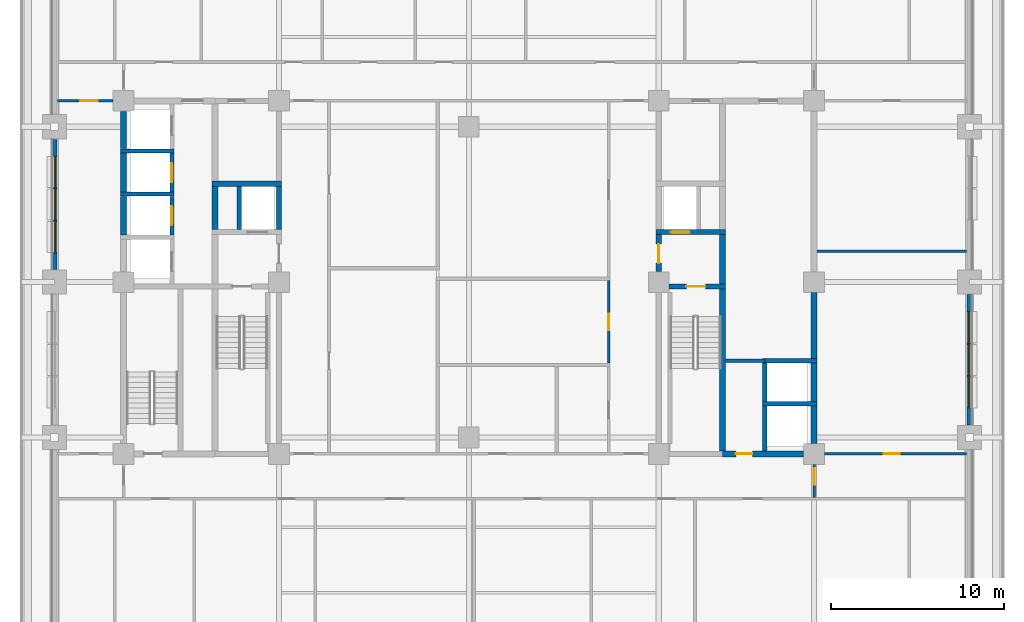
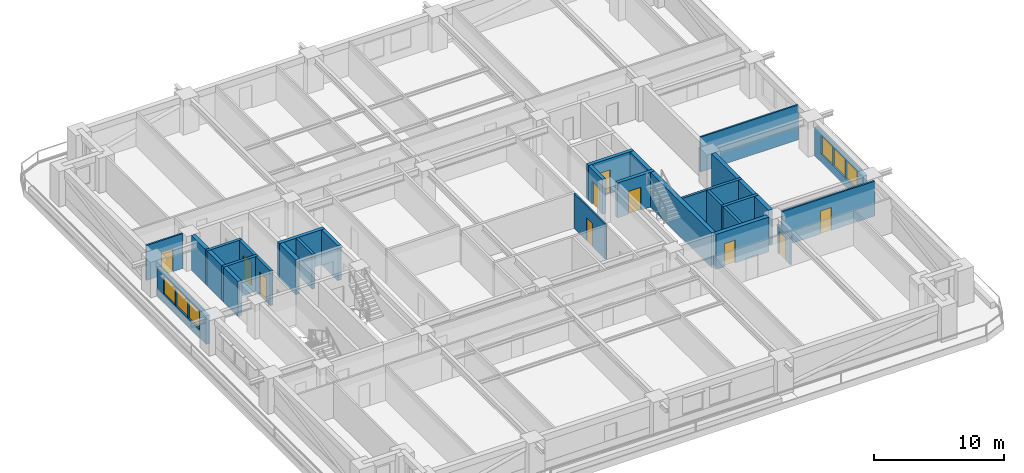
# One storey, part 4 of 14: 32 walls, 10 doors, 6 windows, 16 openings.
"""IFC4 building model written with IfcOpenShell, lengths in metres."""

from ifc_helpers import new_model, si_unit, direction, frame, frame_2d, origin, place, context, subcontext, project, spatial, rectangle, extrude, material, layer, layer_set, type_object, element, fill, save


model = new_model("IFC4")

# Units and contexts
model_context = context("Model", 3, precision=1e-05, world=origin(), true_north=direction((0.0, 1.0)))
body_context = subcontext(model_context, "Body", "Model", "MODEL_VIEW")
ifc_project = project(units=[si_unit("LENGTHUNIT", "METRE"), si_unit("AREAUNIT", "SQUARE_METRE"), si_unit("VOLUMEUNIT", "CUBIC_METRE"), si_unit("PLANEANGLEUNIT", "RADIAN"), si_unit("MASSUNIT", "GRAM", prefix="KILO")], contexts=[model_context])

# Site, building, storey
site_placement = place(None, origin())
site = spatial("IfcSite", under=ifc_project, at=site_placement, CompositionType="ELEMENT")
building_placement = place(site_placement, origin())
building = spatial("IfcBuilding", under=site, at=building_placement, Name="Zulmaris Gate Convention Tower", CompositionType="ELEMENT")
storey_placement = place(building_placement, frame((0.0, 0.0, 30.77001953125)))
storey = spatial("IfcBuildingStorey", under=building, at=storey_placement, Name="L06", CompositionType="ELEMENT", Elevation=30.77001953125)

# Walls
ifc_material_1 = material(Name="Concrete C50/60", Category="concrete")
ifc_layer_1 = layer(ifc_material_1, 0.25, Name="Concrete C50/60")
ifc_layer_set_1 = layer_set([ifc_layer_1], Name="Concrete C50/60")
wall_type_1 = type_object("IfcWallType", Name="CORE-250", PredefinedType="SOLIDWALL", material=ifc_layer_set_1)
for number, where, z_axis, x_axis, name in (
    (1, (17.02490234375, -7.050048828125, 0.0), (0.0, 0.0, 1.0), (1.0, 0.0, 0.0), "WL-L06-005"),
    (2, (17.02490234375, -4.550048828125, 0.0), (0.0, 0.0, 1.0), (1.0, 0.0, 0.0), "WL-L06-006"),
):
    element("IfcWall", number, at=place(storey_placement, frame(where, z_axis=z_axis, x_axis=x_axis)), inside=storey, type_object=wall_type_1, Name=name, PredefinedType="SOLIDWALL", context=body_context, shape_type="SweptSolid", body=[
        extrude(rectangle(XDim=3.150146484375, YDim=0.25, at=frame_2d((1.5751953125, 0.0))), origin(), (0.0, 0.0, 1.0), 3.27001953125),
    ])
for number, where, z_axis, x_axis, name in (
    (3, (-20.175048828125, 5.10009765625, 0.0), (0.0, 0.0, 1.0), (1.0, 0.0, 0.0), "WL-L06-012"),
    (4, (-20.175048828125, 7.60009765625, 0.0), (0.0, 0.0, 1.0), (1.0, 0.0, 0.0), "WL-L06-015"),
):
    element("IfcWall", number, at=place(storey_placement, frame(where, z_axis=z_axis, x_axis=x_axis)), inside=storey, type_object=wall_type_1, Name=name, PredefinedType="SOLIDWALL", context=body_context, shape_type="SweptSolid", body=[
        extrude(rectangle(XDim=3.10009765625, YDim=0.25, at=frame_2d((1.550048828125, 0.0))), origin(), (0.0, 0.0, 1.0), 3.27001953125),
    ])

# Wall, opening, door
wall_1_placement = place(storey_placement, frame((-17.199951171875, 2.72705078125, 0.0), z_axis=(0.0, 0.0, 1.0), x_axis=(0.0, 1.0, 0.0)))
wall_1 = element("IfcWall", 5, at=wall_1_placement, inside=storey, type_object=wall_type_1, Name="WL-L06-039", PredefinedType="SOLIDWALL", context=body_context, shape_type="SweptSolid", body=[
    extrude(rectangle(XDim=2.245849609375, YDim=0.25, at=frame_2d((1.123046875, 0.0))), origin(), (0.0, 0.0, 1.0), 3.27001953125),
])
opening_1_placement = place(wall_1_placement, frame((0.572998046875, 0.0, 0.0)))
opening_1 = element("IfcOpeningElement", 6, at=opening_1_placement, cuts=wall_1, Name="Opening D-06", PredefinedType="OPENING", context=body_context, shape_type="SweptSolid", body=[
    extrude(rectangle(XDim=1.10009765625, YDim=2.199951171875, at=frame_2d((0.550048828125, 1.10009765625))), frame((0.0, 0.135009765625, 0.0), z_axis=(0.0, -1.0, 0.0), x_axis=(1.0, 0.0, 0.0)), (0.0, 0.0, 1.0), 0.27001953125),
])
ifc_material_2 = material(Name="Brushed Stainless Steel", Category="steel")
door_type_1 = type_object("IfcDoorType", Name="LD-1100", OperationType="NOTDEFINED", PredefinedType="DOOR", material=ifc_material_2)
door_1_placement = place(opening_1_placement, origin())
door_1 = element("IfcDoor", 7, at=door_1_placement, inside=storey, type_object=door_type_1, Name="L06 Lift Landing Door LP-02 12", OperationType="SLIDING_TO_LEFT", OverallHeight=2.199951171875, OverallWidth=1.10009765625, PredefinedType="DOOR", context=body_context, shape_type="SweptSolid", body=[
    extrude(rectangle(XDim=1.10009765625, YDim=2.199951171875, at=frame_2d((0.550048828125, 1.10009765625))), frame((0.0, 0.02490234375, 0.0), z_axis=(0.0, -1.0, 0.0), x_axis=(1.0, 0.0, 0.0)), (0.0, 0.0, 1.0), 0.050048828125),
])
fill(opening_1, door_1)

wall_2_placement = place(storey_placement, frame((-17.199951171875, 5.22705078125, 0.0), z_axis=(0.0, 0.0, 1.0), x_axis=(0.0, 1.0, 0.0)))
wall_2 = element("IfcWall", 8, at=wall_2_placement, inside=storey, type_object=wall_type_1, Name="WL-L06-040", PredefinedType="SOLIDWALL", context=body_context, shape_type="SweptSolid", body=[
    extrude(rectangle(XDim=2.245849609375, YDim=0.25, at=frame_2d((1.123046875, 0.0))), origin(), (0.0, 0.0, 1.0), 3.27001953125),
])
opening_2_placement = place(wall_2_placement, frame((0.572998046875, 0.0, 0.0)))
opening_2 = element("IfcOpeningElement", 9, at=opening_2_placement, cuts=wall_2, Name="Opening D-06", PredefinedType="OPENING", context=body_context, shape_type="SweptSolid", body=[
    extrude(rectangle(XDim=1.10009765625, YDim=2.199951171875, at=frame_2d((0.550048828125, 1.10009765625))), frame((0.0, 0.135009765625, 0.0), z_axis=(0.0, -1.0, 0.0), x_axis=(1.0, 0.0, 0.0)), (0.0, 0.0, 1.0), 0.27001953125),
])
door_2_placement = place(opening_2_placement, origin())
door_2 = element("IfcDoor", 10, at=door_2_placement, inside=storey, type_object=door_type_1, Name="L06 Lift Landing Door LP-03 13", OperationType="SLIDING_TO_LEFT", OverallHeight=2.199951171875, OverallWidth=1.10009765625, PredefinedType="DOOR", context=body_context, shape_type="SweptSolid", body=[
    extrude(rectangle(XDim=1.10009765625, YDim=2.199951171875, at=frame_2d((0.550048828125, 1.10009765625))), frame((0.0, 0.02490234375, 0.0), z_axis=(0.0, -1.0, 0.0), x_axis=(1.0, 0.0, 0.0)), (0.0, 0.0, 1.0), 0.050048828125),
])
fill(opening_2, door_2)

# Walls
wall_3_placement = place(storey_placement, frame((-13.300048828125, 3.052001953125, 0.0), z_axis=(0.0, 0.0, 1.0), x_axis=(0.0, 1.0, 0.0)))
element("IfcWall", 11, at=wall_3_placement, inside=storey, type_object=wall_type_1, Name="WL-L06-047", PredefinedType="SOLIDWALL", context=body_context, shape_type="SweptSolid", body=[
    extrude(rectangle(XDim=2.49609375, YDim=0.25, at=frame_2d((1.248046875, 0.0))), origin(), (0.0, 0.0, 1.0), 3.27001953125),
])
wall_4_placement = place(storey_placement, frame((17.14990234375, -9.77294921875, 0.0), z_axis=(0.0, 0.0, 1.0), x_axis=(0.0, 1.0, 0.0)))
element("IfcWall", 12, at=wall_4_placement, inside=storey, type_object=wall_type_1, Name="WL-L06-063", PredefinedType="SOLIDWALL", context=body_context, shape_type="SweptSolid", body=[
    extrude(rectangle(XDim=2.595947265625, YDim=0.25, at=frame_2d((1.2978515625, 0.0))), origin(), (0.0, 0.0, 1.0), 3.27001953125),
])
wall_5_placement = place(storey_placement, frame((17.14990234375, -6.923095703125, 0.0), z_axis=(0.0, 0.0, 1.0), x_axis=(0.0, 1.0, 0.0)))
element("IfcWall", 13, at=wall_5_placement, inside=storey, type_object=wall_type_1, Name="WL-L06-064", PredefinedType="SOLIDWALL", context=body_context, shape_type="SweptSolid", body=[
    extrude(rectangle(XDim=2.24609375, YDim=0.25, at=frame_2d((1.123046875, 0.0))), origin(), (0.0, 0.0, 1.0), 3.27001953125),
])

# Wall, opening, door
ifc_layer_2 = layer(ifc_material_1, 0.300048828125, Name="Concrete C50/60")
ifc_layer_set_2 = layer_set([ifc_layer_2], Name="Concrete C50/60")
wall_type_2 = type_object("IfcWallType", Name="CORE-300", PredefinedType="SHEAR", material=ifc_layer_set_2)
wall_6_placement = place(storey_placement, frame((11.60400390625, -0.25, 0.0), z_axis=(0.0, 0.0, 1.0), x_axis=(1.0, 0.0, 0.0)))
wall_6 = element("IfcWall", 14, at=wall_6_placement, inside=storey, type_object=wall_type_2, Name="WL-L06-008", PredefinedType="SHEAR", context=body_context, shape_type="SweptSolid", body=[
    extrude(rectangle(XDim=3.27099609375, YDim=0.300048828125, at=frame_2d((1.635498046875, 0.0))), origin(), (0.0, 0.0, 1.0), 3.27001953125),
])
opening_3_placement = place(wall_6_placement, frame((0.99609375, 0.0, 0.0)))
opening_3 = element("IfcOpeningElement", 15, at=opening_3_placement, cuts=wall_6, Name="Opening D-08", PredefinedType="OPENING", context=body_context, shape_type="SweptSolid", body=[
    extrude(rectangle(XDim=1.10009765625, YDim=2.14990234375, at=frame_2d((0.550048828125, 1.074951171875))), frame((0.0, 0.16015625, 0.0), z_axis=(0.0, -1.0, 0.0), x_axis=(1.0, 0.0, 0.0)), (0.0, 0.0, 1.0), 0.320068359375),
])
ifc_material_3 = material(Name="Fire-Rated Steel", Category="steel")
door_type_2 = type_object("IfcDoorType", Name="DR-1100-FD", OperationType="NOTDEFINED", PredefinedType="DOOR", material=ifc_material_3)
door_3_placement = place(opening_3_placement, origin())
door_3 = element("IfcDoor", 16, at=door_3_placement, inside=storey, type_object=door_type_2, Name="L06 Exit Stair ST-2 Door 04", OperationType="SINGLE_SWING_RIGHT", OverallHeight=2.14990234375, OverallWidth=1.10009765625, PredefinedType="DOOR", context=body_context, shape_type="SweptSolid", body=[
    extrude(rectangle(XDim=1.10009765625, YDim=2.14990234375, at=frame_2d((0.550048828125, 1.074951171875))), frame((0.0, 0.02490234375, 0.0), z_axis=(0.0, -1.0, 0.0), x_axis=(1.0, 0.0, 0.0)), (0.0, 0.0, 1.0), 0.050048828125),
])
fill(opening_3, door_3)

wall_7_placement = place(storey_placement, frame((10.85009765625, 2.89990234375, 0.0), z_axis=(0.0, 0.0, 1.0), x_axis=(1.0, 0.0, 0.0)))
wall_7 = element("IfcWall", 17, at=wall_7_placement, inside=storey, type_object=wall_type_2, Name="WL-L06-011", PredefinedType="SHEAR", context=body_context, shape_type="SweptSolid", body=[
    extrude(rectangle(XDim=4.02490234375, YDim=0.300048828125, at=frame_2d((2.012451171875, 0.0))), origin(), (0.0, 0.0, 1.0), 3.27001953125),
])
opening_4_placement = place(wall_7_placement, frame((0.85009765625, 0.0, 0.0)))
opening_4 = element("IfcOpeningElement", 18, at=opening_4_placement, cuts=wall_7, Name="Opening D-06", PredefinedType="OPENING", context=body_context, shape_type="SweptSolid", body=[
    extrude(rectangle(XDim=1.10009765625, YDim=2.199951171875, at=frame_2d((0.550048828125, 1.10009765625))), frame((0.0, 0.16015625, 0.0), z_axis=(0.0, -1.0, 0.0), x_axis=(1.0, 0.0, 0.0)), (0.0, 0.0, 1.0), 0.320068359375),
])
door_4_placement = place(opening_4_placement, origin())
door_4 = element("IfcDoor", 19, at=door_4_placement, inside=storey, type_object=door_type_1, Name="L06 Lift Landing Door LF-02 06", OperationType="SLIDING_TO_RIGHT", OverallHeight=2.199951171875, OverallWidth=1.10009765625, PredefinedType="DOOR", context=body_context, shape_type="SweptSolid", body=[
    extrude(rectangle(XDim=1.10009765625, YDim=2.199951171875, at=frame_2d((0.550048828125, 1.10009765625))), frame((0.0, 0.02490234375, 0.0), z_axis=(0.0, -1.0, 0.0), x_axis=(1.0, 0.0, 0.0)), (0.0, 0.0, 1.0), 0.050048828125),
])
fill(opening_4, door_4)

# Walls
wall_8_placement = place(storey_placement, frame((-14.875, 5.699951171875, 0.0), z_axis=(0.0, 0.0, 1.0), x_axis=(1.0, 0.0, 0.0)))
element("IfcWall", 20, at=wall_8_placement, inside=storey, type_object=wall_type_2, Name="WL-L06-013", PredefinedType="SHEAR", context=body_context, shape_type="SweptSolid", body=[
    extrude(rectangle(XDim=4.02490234375, YDim=0.300048828125, at=frame_2d((2.012451171875, 0.0))), origin(), (0.0, 0.0, 1.0), 3.27001953125),
])
wall_9_placement = place(storey_placement, frame((-11.0, 3.052001953125, 0.0), z_axis=(0.0, 0.0, 1.0), x_axis=(0.0, 1.0, 0.0)))
element("IfcWall", 21, at=wall_9_placement, inside=storey, type_object=wall_type_2, Name="WL-L06-051", PredefinedType="SHEAR", context=body_context, shape_type="SweptSolid", body=[
    extrude(rectangle(XDim=2.49609375, YDim=0.300048828125, at=frame_2d((1.248046875, 0.0))), origin(), (0.0, 0.0, 1.0), 3.27001953125),
])

# Wall, opening, door
wall_10_placement = place(storey_placement, frame((11.0, 0.60400390625, 0.0), z_axis=(0.0, 0.0, 1.0), x_axis=(0.0, 1.0, 0.0)))
wall_10 = element("IfcWall", 22, at=wall_10_placement, inside=storey, type_object=wall_type_2, Name="WL-L06-054", PredefinedType="SHEAR", context=body_context, shape_type="SweptSolid", body=[
    extrude(rectangle(XDim=2.14404296875, YDim=0.300048828125, at=frame_2d((1.072021484375, 0.0))), origin(), (0.0, 0.0, 1.0), 3.27001953125),
])
opening_5_placement = place(wall_10_placement, frame((0.49609375, 0.0, 0.0)))
opening_5 = element("IfcOpeningElement", 23, at=opening_5_placement, cuts=wall_10, Name="Opening D-08", PredefinedType="OPENING", context=body_context, shape_type="SweptSolid", body=[
    extrude(rectangle(XDim=1.10009765625, YDim=2.14990234375, at=frame_2d((0.550048828125, 1.074951171875))), frame((0.0, 0.16015625, 0.0), z_axis=(0.0, -1.0, 0.0), x_axis=(1.0, 0.0, 0.0)), (0.0, 0.0, 1.0), 0.320068359375),
])
door_5_placement = place(opening_5_placement, origin())
door_5 = element("IfcDoor", 24, at=door_5_placement, inside=storey, type_object=door_type_2, Name="L06 East Firefighting Lobby Door 05", OperationType="SINGLE_SWING_LEFT", OverallHeight=2.14990234375, OverallWidth=1.10009765625, PredefinedType="DOOR", context=body_context, shape_type="SweptSolid", body=[
    extrude(rectangle(XDim=1.10009765625, YDim=2.14990234375, at=frame_2d((0.550048828125, 1.074951171875))), frame((0.0, 0.02490234375, 0.0), z_axis=(0.0, -1.0, 0.0), x_axis=(1.0, 0.0, 0.0)), (0.0, 0.0, 1.0), 0.050048828125),
])
fill(opening_5, door_5)

ifc_material_4 = material(Name="Concrete C55/67", Category="concrete")
ifc_layer_3 = layer(ifc_material_4, 0.35009765625, Name="Concrete C55/67")
ifc_layer_set_3 = layer_set([ifc_layer_3], Name="Concrete C55/67")
wall_type_3 = type_object("IfcWallType", Name="CORE-350", PredefinedType="SHEAR", material=ifc_layer_set_3)
wall_11_placement = place(storey_placement, frame((14.699951171875, -9.949951171875, 0.0), z_axis=(0.0, 0.0, 1.0), x_axis=(1.0, 0.0, 0.0)))
wall_11 = element("IfcWall", 25, at=wall_11_placement, inside=storey, type_object=wall_type_3, Name="WL-L06-004", PredefinedType="SHEAR", context=body_context, shape_type="SweptSolid", body=[
    extrude(rectangle(XDim=4.696044921875, YDim=0.35009765625, at=frame_2d((2.34814453125, 0.0))), origin(), (0.0, 0.0, 1.0), 3.27001953125),
])
opening_6_placement = place(wall_11_placement, frame((0.77490234375, 0.0, 0.0)))
opening_6 = element("IfcOpeningElement", 26, at=opening_6_placement, cuts=wall_11, Name="Opening D-11", PredefinedType="OPENING", context=body_context, shape_type="SweptSolid", body=[
    extrude(rectangle(XDim=0.949951171875, YDim=2.14990234375, at=frame_2d((0.47509765625, 1.074951171875))), frame((0.0, 0.18505859375, 0.0), z_axis=(0.0, -1.0, 0.0), x_axis=(1.0, 0.0, 0.0)), (0.0, 0.0, 1.0), 0.3701171875),
])
ifc_material_5 = material(Name="Fire-Rated Timber", Category="wood")
door_type_3 = type_object("IfcDoorType", Name="DR-950-FD", OperationType="NOTDEFINED", PredefinedType="DOOR", material=ifc_material_5)
door_6_placement = place(opening_6_placement, origin())
door_6 = element("IfcDoor", 27, at=door_6_placement, inside=storey, type_object=door_type_3, Name="L06 East Cleaners Store Door 15", OperationType="SINGLE_SWING_RIGHT", OverallHeight=2.14990234375, OverallWidth=0.949951171875, PredefinedType="DOOR", context=body_context, shape_type="SweptSolid", body=[
    extrude(rectangle(XDim=0.949951171875, YDim=2.14990234375, at=frame_2d((0.47509765625, 1.074951171875))), frame((0.0, 0.02490234375, 0.0), z_axis=(0.0, -1.0, 0.0), x_axis=(1.0, 0.0, 0.0)), (0.0, 0.0, 1.0), 0.050048828125),
])
fill(opening_6, door_6)

# Walls
for number, where, z_axis, x_axis, name in (
    (28, (-20.0, 2.72705078125, 0.0), (0.0, 0.0, 1.0), (0.0, 1.0, 0.0), "WL-L06-035"),
    (29, (-20.0, 5.22705078125, 0.0), (0.0, 0.0, 1.0), (0.0, 1.0, 0.0), "WL-L06-036"),
):
    element("IfcWall", number, at=place(storey_placement, frame(where, z_axis=z_axis, x_axis=x_axis)), inside=storey, type_object=wall_type_3, Name=name, PredefinedType="SHEAR", context=body_context, shape_type="SweptSolid", body=[
        extrude(rectangle(XDim=2.245849609375, YDim=0.35009765625, at=frame_2d((1.123046875, 0.0))), origin(), (0.0, 0.0, 1.0), 3.27001953125),
    ])
wall_12_placement = place(storey_placement, frame((-20.0, 7.72705078125, 0.0), z_axis=(0.0, 0.0, 1.0), x_axis=(0.0, 1.0, 0.0)))
element("IfcWall", 30, at=wall_12_placement, inside=storey, type_object=wall_type_3, Name="WL-L06-037", PredefinedType="SHEAR", context=body_context, shape_type="SweptSolid", body=[
    extrude(rectangle(XDim=2.1689453125, YDim=0.35009765625, at=frame_2d((1.08447265625, 0.0))), origin(), (0.0, 0.0, 1.0), 3.27001953125),
])
wall_13_placement = place(storey_placement, frame((-14.699951171875, 3.052001953125, 0.0), z_axis=(0.0, 0.0, 1.0), x_axis=(0.0, 1.0, 0.0)))
element("IfcWall", 31, at=wall_13_placement, inside=storey, type_object=wall_type_3, Name="WL-L06-045", PredefinedType="SHEAR", context=body_context, shape_type="SweptSolid", body=[
    extrude(rectangle(XDim=2.49609375, YDim=0.35009765625, at=frame_2d((1.248046875, 0.0))), origin(), (0.0, 0.0, 1.0), 3.27001953125),
])
wall_14_placement = place(storey_placement, frame((14.699951171875, -9.77294921875, 0.0), z_axis=(0.0, 0.0, 1.0), x_axis=(0.0, 1.0, 0.0)))
element("IfcWall", 32, at=wall_14_placement, inside=storey, type_object=wall_type_3, Name="WL-L06-059", PredefinedType="SHEAR", context=body_context, shape_type="SweptSolid", body=[
    extrude(rectangle(XDim=9.370849609375, YDim=0.35009765625, at=frame_2d((4.685546875, 0.0))), origin(), (0.0, 0.0, 1.0), 3.27001953125),
])
wall_15_placement = place(storey_placement, frame((14.699951171875, -0.097900390625, 0.0), z_axis=(0.0, 0.0, 1.0), x_axis=(0.0, 1.0, 0.0)))
element("IfcWall", 33, at=wall_15_placement, inside=storey, type_object=wall_type_3, Name="WL-L06-060", PredefinedType="SHEAR", context=body_context, shape_type="SweptSolid", body=[
    extrude(rectangle(XDim=2.845947265625, YDim=0.35009765625, at=frame_2d((1.4228515625, 0.0))), origin(), (0.0, 0.0, 1.0), 3.27001953125),
])
wall_16_placement = place(storey_placement, frame((20.0, -9.345947265625, 0.0), z_axis=(0.0, 0.0, 1.0), x_axis=(0.0, 1.0, 0.0)))
element("IfcWall", 34, at=wall_16_placement, inside=storey, type_object=wall_type_3, Name="WL-L06-065", PredefinedType="SHEAR", context=body_context, shape_type="SweptSolid", body=[
    extrude(rectangle(XDim=2.1689453125, YDim=0.35009765625, at=frame_2d((1.08447265625, 0.0))), origin(), (0.0, 0.0, 1.0), 3.27001953125),
])
wall_17_placement = place(storey_placement, frame((20.0, -6.923095703125, 0.0), z_axis=(0.0, 0.0, 1.0), x_axis=(0.0, 1.0, 0.0)))
element("IfcWall", 35, at=wall_17_placement, inside=storey, type_object=wall_type_3, Name="WL-L06-066", PredefinedType="SHEAR", context=body_context, shape_type="SweptSolid", body=[
    extrude(rectangle(XDim=2.24609375, YDim=0.35009765625, at=frame_2d((1.123046875, 0.0))), origin(), (0.0, 0.0, 1.0), 3.27001953125),
])
wall_18_placement = place(storey_placement, frame((20.0, -4.423095703125, 0.0), z_axis=(0.0, 0.0, 1.0), x_axis=(0.0, 1.0, 0.0)))
element("IfcWall", 36, at=wall_18_placement, inside=storey, type_object=wall_type_3, Name="WL-L06-067", PredefinedType="SHEAR", context=body_context, shape_type="SweptSolid", body=[
    extrude(rectangle(XDim=3.819091796875, YDim=0.35009765625, at=frame_2d((1.90966796875, 0.0))), origin(), (0.0, 0.0, 1.0), 3.27001953125),
])

# Wall, opening, door
ifc_material_6 = material(Name="Gypsum Metal Stud Partition")
ifc_layer_4 = layer(ifc_material_6, 0.14990234375, Name="Gypsum Metal Stud Partition")
ifc_layer_set_4 = layer_set([ifc_layer_4], Name="Gypsum Metal Stud Partition")
wall_type_4 = type_object("IfcWallType", Name="PART-150", PredefinedType="PARTITIONING", material=ifc_layer_set_4)
wall_19_placement = place(storey_placement, frame((20.60595703125, -9.949951171875, 0.0), z_axis=(0.0, 0.0, 1.0), x_axis=(1.0, 0.0, 0.0)))
wall_19 = element("IfcWall", 37, at=wall_19_placement, inside=storey, type_object=wall_type_4, Name="WL-L06-023", PredefinedType="PARTITIONING", context=body_context, shape_type="SweptSolid", body=[
    extrude(rectangle(XDim=8.22900390625, YDim=0.14990234375, at=frame_2d((4.114501953125, 0.0))), origin(), (0.0, 0.0, 1.0), 3.27001953125),
])
opening_7_placement = place(wall_19_placement, frame((3.4189453125, 0.0, 0.0)))
opening_7 = element("IfcOpeningElement", 38, at=opening_7_placement, cuts=wall_19, Name="Opening D-11", PredefinedType="OPENING", context=body_context, shape_type="SweptSolid", body=[
    extrude(rectangle(XDim=0.949951171875, YDim=2.14990234375, at=frame_2d((0.47509765625, 1.074951171875))), frame((0.0, 0.0849609375, 0.0), z_axis=(0.0, -1.0, 0.0), x_axis=(1.0, 0.0, 0.0)), (0.0, 0.0, 1.0), 0.169921875),
])
door_7_placement = place(opening_7_placement, origin())
door_7 = element("IfcDoor", 39, at=door_7_placement, inside=storey, type_object=door_type_3, Name="L06 SE Partner Door 46", OperationType="SINGLE_SWING_LEFT", OverallHeight=2.14990234375, OverallWidth=0.949951171875, PredefinedType="DOOR", context=body_context, shape_type="SweptSolid", body=[
    extrude(rectangle(XDim=0.949951171875, YDim=2.14990234375, at=frame_2d((0.47509765625, 1.074951171875))), frame((0.0, 0.02490234375, 0.0), z_axis=(0.0, -1.0, 0.0), x_axis=(1.0, 0.0, 0.0)), (0.0, 0.0, 1.0), 0.050048828125),
])
fill(opening_7, door_7)

# Wall
wall_20_placement = place(storey_placement, frame((20.177978515625, 1.800048828125, 0.0), z_axis=(0.0, 0.0, 1.0), x_axis=(1.0, 0.0, 0.0)))
element("IfcWall", 40, at=wall_20_placement, inside=storey, type_object=wall_type_4, Name="WL-L06-028", PredefinedType="PARTITIONING", context=body_context, shape_type="SweptSolid", body=[
    extrude(rectangle(XDim=8.656982421875, YDim=0.14990234375, at=frame_2d((4.32861328125, 0.0))), origin(), (0.0, 0.0, 1.0), 3.27001953125),
])

# Wall, opening, door
wall_21_placement = place(storey_placement, frame((-23.8349609375, 10.5, 0.0), z_axis=(0.0, 0.0, 1.0), x_axis=(1.0, 0.0, 0.0)))
wall_21 = element("IfcWall", 41, at=wall_21_placement, inside=storey, type_object=wall_type_4, Name="WL-L06-029", PredefinedType="PARTITIONING", context=body_context, shape_type="SweptSolid", body=[
    extrude(rectangle(XDim=3.22900390625, YDim=0.14990234375, at=frame_2d((1.614501953125, 0.0))), origin(), (0.0, 0.0, 1.0), 3.27001953125),
])
opening_8_placement = place(wall_21_placement, frame((1.3349609375, 0.0, 0.0)))
opening_8 = element("IfcOpeningElement", 42, at=opening_8_placement, cuts=wall_21, Name="Opening D-10", PredefinedType="OPENING", context=body_context, shape_type="SweptSolid", body=[
    extrude(rectangle(XDim=1.0, YDim=2.14990234375, at=frame_2d((0.5, 1.074951171875))), frame((0.0, 0.0849609375, 0.0), z_axis=(0.0, -1.0, 0.0), x_axis=(1.0, 0.0, 0.0)), (0.0, 0.0, 1.0), 0.169921875),
])
door_type_4 = type_object("IfcDoorType", Name="DR-1000-FD", OperationType="NOTDEFINED", PredefinedType="DOOR", material=ifc_material_5)
door_8_placement = place(opening_8_placement, origin())
door_8 = element("IfcDoor", 43, at=door_8_placement, inside=storey, type_object=door_type_4, Name="L06 West Workplace North Door 41", OperationType="SINGLE_SWING_RIGHT", OverallHeight=2.14990234375, OverallWidth=1.0, PredefinedType="DOOR", context=body_context, shape_type="SweptSolid", body=[
    extrude(rectangle(XDim=1.0, YDim=2.14990234375, at=frame_2d((0.5, 1.074951171875))), frame((0.0, 0.02490234375, 0.0), z_axis=(0.0, -1.0, 0.0), x_axis=(1.0, 0.0, 0.0)), (0.0, 0.0, 1.0), 0.050048828125),
])
fill(opening_8, door_8)

wall_22_placement = place(storey_placement, frame((8.10009765625, -4.697021484375, 0.0), z_axis=(0.0, 0.0, 1.0), x_axis=(0.0, 1.0, 0.0)))
wall_22 = element("IfcWall", 44, at=wall_22_placement, inside=storey, type_object=wall_type_4, Name="WL-L06-088", PredefinedType="PARTITIONING", context=body_context, shape_type="SweptSolid", body=[
    extrude(rectangle(XDim=4.7939453125, YDim=0.14990234375, at=frame_2d((2.39697265625, 0.0))), origin(), (0.0, 0.0, 1.0), 3.27001953125),
])
opening_9_placement = place(wall_22_placement, frame((1.922119140625, 0.0, 0.0)))
opening_9 = element("IfcOpeningElement", 45, at=opening_9_placement, cuts=wall_22, Name="Opening D-11", PredefinedType="OPENING", context=body_context, shape_type="SweptSolid", body=[
    extrude(rectangle(XDim=0.949951171875, YDim=2.14990234375, at=frame_2d((0.47509765625, 1.074951171875))), frame((0.0, 0.0849609375, 0.0), z_axis=(0.0, -1.0, 0.0), x_axis=(1.0, 0.0, 0.0)), (0.0, 0.0, 1.0), 0.169921875),
])
door_9_placement = place(opening_9_placement, origin())
door_9 = element("IfcDoor", 46, at=door_9_placement, inside=storey, type_object=door_type_3, Name="L06 Public WC Door 36", OperationType="SINGLE_SWING_LEFT", OverallHeight=2.14990234375, OverallWidth=0.949951171875, PredefinedType="DOOR", context=body_context, shape_type="SweptSolid", body=[
    extrude(rectangle(XDim=0.949951171875, YDim=2.14990234375, at=frame_2d((0.47509765625, 1.074951171875))), frame((0.0, 0.02490234375, 0.0), z_axis=(0.0, -1.0, 0.0), x_axis=(1.0, 0.0, 0.0)), (0.0, 0.0, 1.0), 0.050048828125),
])
fill(opening_9, door_9)

wall_23_placement = place(storey_placement, frame((20.0, -12.471923828125, 0.0), z_axis=(0.0, 0.0, 1.0), x_axis=(0.0, 1.0, 0.0)))
wall_23 = element("IfcWall", 47, at=wall_23_placement, inside=storey, type_object=wall_type_4, Name="WL-L06-092", PredefinedType="PARTITIONING", context=body_context, shape_type="SweptSolid", body=[
    extrude(rectangle(XDim=1.916015625, YDim=0.14990234375, at=frame_2d((0.9580078125, 0.0))), origin(), (0.0, 0.0, 1.0), 2.610107421875),
])
opening_10_placement = place(wall_23_placement, frame((0.7470703125, 0.0, 0.0)))
opening_10 = element("IfcOpeningElement", 48, at=opening_10_placement, cuts=wall_23, Name="Opening D-11", PredefinedType="OPENING", context=body_context, shape_type="SweptSolid", body=[
    extrude(rectangle(XDim=0.949951171875, YDim=2.14990234375, at=frame_2d((0.47509765625, 1.074951171875))), frame((0.0, 0.0849609375, 0.0), z_axis=(0.0, -1.0, 0.0), x_axis=(1.0, 0.0, 0.0)), (0.0, 0.0, 1.0), 0.169921875),
])
door_10_placement = place(opening_10_placement, origin())
door_10 = element("IfcDoor", 49, at=door_10_placement, inside=storey, type_object=door_type_3, Name="L06 SE Spur Door 44", OperationType="SINGLE_SWING_LEFT", OverallHeight=2.14990234375, OverallWidth=0.949951171875, PredefinedType="DOOR", context=body_context, shape_type="SweptSolid", body=[
    extrude(rectangle(XDim=0.949951171875, YDim=2.14990234375, at=frame_2d((0.47509765625, 1.074951171875))), frame((0.0, 0.02490234375, 0.0), z_axis=(0.0, -1.0, 0.0), x_axis=(1.0, 0.0, 0.0)), (0.0, 0.0, 1.0), 0.050048828125),
])
fill(opening_10, door_10)

# Wall
ifc_material_7 = material(Name="Autoclaved Aerated Concrete Block and Plasterboard", Category="concrete")
ifc_layer_5 = layer(ifc_material_7, 0.199951171875, Name="Autoclaved Aerated Concrete Block and Plasterboard")
ifc_layer_set_5 = layer_set([ifc_layer_5], Name="Autoclaved Aerated Concrete Block and Plasterboard")
wall_type_5 = type_object("IfcWallType", Name="PART-200", PredefinedType="PARTITIONING", material=ifc_layer_set_5)
wall_24_placement = place(storey_placement, frame((14.8779296875, -4.550048828125, 0.0), z_axis=(0.0, 0.0, 1.0), x_axis=(1.0, 0.0, 0.0)))
element("IfcWall", 50, at=wall_24_placement, inside=storey, type_object=wall_type_5, Name="WL-L06-025", PredefinedType="PARTITIONING", context=body_context, shape_type="SweptSolid", body=[
    extrude(rectangle(XDim=2.27197265625, YDim=0.199951171875, at=frame_2d((1.135986328125, 0.0))), origin(), (0.0, 0.0, 1.0), 3.27001953125),
])

# Wall, openings, windows
ifc_material_8 = material(Name="Precast concrete C40/50", Category="concrete")
ifc_layer_6 = layer(ifc_material_8, 0.300048828125, Name="Precast concrete C40/50")
ifc_layer_set_6 = layer_set([ifc_layer_6], Name="Precast concrete C40/50")
wall_type_6 = type_object("IfcWallType", Name="PRECAST-PIER-300", PredefinedType="STANDARD", material=ifc_layer_set_6)
wall_25_placement = place(storey_placement, frame((29.0, -8.27001953125, 0.0), z_axis=(0.0, 0.0, 1.0), x_axis=(0.0, 1.0, 0.0)))
wall_25 = element("IfcWall", 51, at=wall_25_placement, inside=storey, type_object=wall_type_6, Name="EW-L06-E-1_0", PredefinedType="STANDARD", context=body_context, shape_type="SweptSolid", body=[
    extrude(rectangle(XDim=7.5400390625, YDim=0.300048828125, at=frame_2d((3.77001953125, 0.0))), origin(), (0.0, 0.0, 1.0), 2.662109375),
])
opening_11_placement = place(wall_25_placement, frame((0.985107421875, 0.0, 0.780029296875)))
opening_11 = element("IfcOpeningElement", 52, at=opening_11_placement, cuts=wall_25, Name="Opening W-02", PredefinedType="OPENING", context=body_context, shape_type="SweptSolid", body=[
    extrude(rectangle(XDim=1.800048828125, YDim=1.719970703125, at=frame_2d((0.89990234375, 0.85986328125))), frame((0.0, 0.16015625, 0.0), z_axis=(0.0, -1.0, 0.0), x_axis=(1.0, 0.0, 0.0)), (0.0, 0.0, 1.0), 0.320068359375),
])
opening_12_placement = place(wall_25_placement, frame((2.8701171875, 0.0, 0.780029296875)))
opening_12 = element("IfcOpeningElement", 53, at=opening_12_placement, cuts=wall_25, Name="Opening W-02", PredefinedType="OPENING", context=body_context, shape_type="SweptSolid", body=[
    extrude(rectangle(XDim=1.800048828125, YDim=1.719970703125, at=frame_2d((0.89990234375, 0.85986328125))), frame((0.0, 0.16015625, 0.0), z_axis=(0.0, -1.0, 0.0), x_axis=(1.0, 0.0, 0.0)), (0.0, 0.0, 1.0), 0.320068359375),
])
opening_13_placement = place(wall_25_placement, frame((4.7548828125, 0.0, 0.780029296875)))
opening_13 = element("IfcOpeningElement", 54, at=opening_13_placement, cuts=wall_25, Name="Opening W-02", PredefinedType="OPENING", context=body_context, shape_type="SweptSolid", body=[
    extrude(rectangle(XDim=1.800048828125, YDim=1.719970703125, at=frame_2d((0.89990234375, 0.85986328125))), frame((0.0, 0.16015625, 0.0), z_axis=(0.0, -1.0, 0.0), x_axis=(1.0, 0.0, 0.0)), (0.0, 0.0, 1.0), 0.320068359375),
])
ifc_material_9 = material(Name="Low-E Laminated Double Glazing in Aluminium Frame", Category="aluminium")
window_type = type_object("IfcWindowType", Name="WIN-1800x2200", PartitioningType="SINGLE_PANEL", PredefinedType="WINDOW", material=ifc_material_9)
window_1_placement = place(opening_11_placement, origin())
window_1 = element("IfcWindow", 55, at=window_1_placement, inside=storey, type_object=window_type, Name="WN-EW-L06-E-1_0-1", OverallHeight=1.719970703125, OverallWidth=1.800048828125, PartitioningType="SINGLE_PANEL", PredefinedType="WINDOW", context=body_context, shape_type="SweptSolid", body=[
    extrude(rectangle(XDim=1.800048828125, YDim=1.719970703125, at=frame_2d((0.89990234375, 0.85986328125))), frame((0.0, 0.030029296875, 0.0), z_axis=(0.0, -1.0, 0.0), x_axis=(1.0, 0.0, 0.0)), (0.0, 0.0, 1.0), 0.06005859375),
])
fill(opening_11, window_1)
window_2_placement = place(opening_12_placement, origin())
window_2 = element("IfcWindow", 56, at=window_2_placement, inside=storey, type_object=window_type, Name="WN-EW-L06-E-1_0-2", OverallHeight=1.719970703125, OverallWidth=1.800048828125, PartitioningType="SINGLE_PANEL", PredefinedType="WINDOW", context=body_context, shape_type="SweptSolid", body=[
    extrude(rectangle(XDim=1.800048828125, YDim=1.719970703125, at=frame_2d((0.89990234375, 0.85986328125))), frame((0.0, 0.030029296875, 0.0), z_axis=(0.0, -1.0, 0.0), x_axis=(1.0, 0.0, 0.0)), (0.0, 0.0, 1.0), 0.06005859375),
])
fill(opening_12, window_2)
window_3_placement = place(opening_13_placement, origin())
window_3 = element("IfcWindow", 57, at=window_3_placement, inside=storey, type_object=window_type, Name="WN-EW-L06-E-1_0-3", OverallHeight=1.719970703125, OverallWidth=1.800048828125, PartitioningType="SINGLE_PANEL", PredefinedType="WINDOW", context=body_context, shape_type="SweptSolid", body=[
    extrude(rectangle(XDim=1.800048828125, YDim=1.719970703125, at=frame_2d((0.89990234375, 0.85986328125))), frame((0.0, 0.030029296875, 0.0), z_axis=(0.0, -1.0, 0.0), x_axis=(1.0, 0.0, 0.0)), (0.0, 0.0, 1.0), 0.06005859375),
])
fill(opening_13, window_3)

wall_26_placement = place(storey_placement, frame((-24.0, 8.27001953125, 0.0), z_axis=(0.0, 0.0, 1.0), x_axis=(0.0, -1.0, 0.0)))
wall_26 = element("IfcWall", 58, at=wall_26_placement, inside=storey, type_object=wall_type_6, Name="EW-L06-W-2_0", PredefinedType="STANDARD", context=body_context, shape_type="SweptSolid", body=[
    extrude(rectangle(XDim=7.5400390625, YDim=0.300048828125, at=frame_2d((3.77001953125, 0.0))), origin(), (0.0, 0.0, 1.0), 2.662109375),
])
opening_14_placement = place(wall_26_placement, frame((0.985107421875, 0.0, 0.780029296875)))
opening_14 = element("IfcOpeningElement", 59, at=opening_14_placement, cuts=wall_26, Name="Opening W-02", PredefinedType="OPENING", context=body_context, shape_type="SweptSolid", body=[
    extrude(rectangle(XDim=1.800048828125, YDim=1.719970703125, at=frame_2d((0.89990234375, 0.85986328125))), frame((0.0, 0.16015625, 0.0), z_axis=(0.0, -1.0, 0.0), x_axis=(1.0, 0.0, 0.0)), (0.0, 0.0, 1.0), 0.320068359375),
])
opening_15_placement = place(wall_26_placement, frame((2.8701171875, 0.0, 0.780029296875)))
opening_15 = element("IfcOpeningElement", 60, at=opening_15_placement, cuts=wall_26, Name="Opening W-02", PredefinedType="OPENING", context=body_context, shape_type="SweptSolid", body=[
    extrude(rectangle(XDim=1.800048828125, YDim=1.719970703125, at=frame_2d((0.89990234375, 0.85986328125))), frame((0.0, 0.16015625, 0.0), z_axis=(0.0, -1.0, 0.0), x_axis=(1.0, 0.0, 0.0)), (0.0, 0.0, 1.0), 0.320068359375),
])
opening_16_placement = place(wall_26_placement, frame((4.7548828125, 0.0, 0.780029296875)))
opening_16 = element("IfcOpeningElement", 61, at=opening_16_placement, cuts=wall_26, Name="Opening W-02", PredefinedType="OPENING", context=body_context, shape_type="SweptSolid", body=[
    extrude(rectangle(XDim=1.800048828125, YDim=1.719970703125, at=frame_2d((0.89990234375, 0.85986328125))), frame((0.0, 0.16015625, 0.0), z_axis=(0.0, -1.0, 0.0), x_axis=(1.0, 0.0, 0.0)), (0.0, 0.0, 1.0), 0.320068359375),
])
window_4_placement = place(opening_14_placement, origin())
window_4 = element("IfcWindow", 62, at=window_4_placement, inside=storey, type_object=window_type, Name="WN-EW-L06-W-2_0-1", OverallHeight=1.719970703125, OverallWidth=1.800048828125, PartitioningType="SINGLE_PANEL", PredefinedType="WINDOW", context=body_context, shape_type="SweptSolid", body=[
    extrude(rectangle(XDim=1.800048828125, YDim=1.719970703125, at=frame_2d((0.89990234375, 0.85986328125))), frame((0.0, 0.030029296875, 0.0), z_axis=(0.0, -1.0, 0.0), x_axis=(1.0, 0.0, 0.0)), (0.0, 0.0, 1.0), 0.06005859375),
])
fill(opening_14, window_4)
window_5_placement = place(opening_15_placement, origin())
window_5 = element("IfcWindow", 63, at=window_5_placement, inside=storey, type_object=window_type, Name="WN-EW-L06-W-2_0-2", OverallHeight=1.719970703125, OverallWidth=1.800048828125, PartitioningType="SINGLE_PANEL", PredefinedType="WINDOW", context=body_context, shape_type="SweptSolid", body=[
    extrude(rectangle(XDim=1.800048828125, YDim=1.719970703125, at=frame_2d((0.89990234375, 0.85986328125))), frame((0.0, 0.030029296875, 0.0), z_axis=(0.0, -1.0, 0.0), x_axis=(1.0, 0.0, 0.0)), (0.0, 0.0, 1.0), 0.06005859375),
])
fill(opening_15, window_5)
window_6_placement = place(opening_16_placement, origin())
window_6 = element("IfcWindow", 64, at=window_6_placement, inside=storey, type_object=window_type, Name="WN-EW-L06-W-2_0-3", OverallHeight=1.719970703125, OverallWidth=1.800048828125, PartitioningType="SINGLE_PANEL", PredefinedType="WINDOW", context=body_context, shape_type="SweptSolid", body=[
    extrude(rectangle(XDim=1.800048828125, YDim=1.719970703125, at=frame_2d((0.89990234375, 0.85986328125))), frame((0.0, 0.030029296875, 0.0), z_axis=(0.0, -1.0, 0.0), x_axis=(1.0, 0.0, 0.0)), (0.0, 0.0, 1.0), 0.06005859375),
])
fill(opening_16, window_6)

save(model, "model.ifc")
